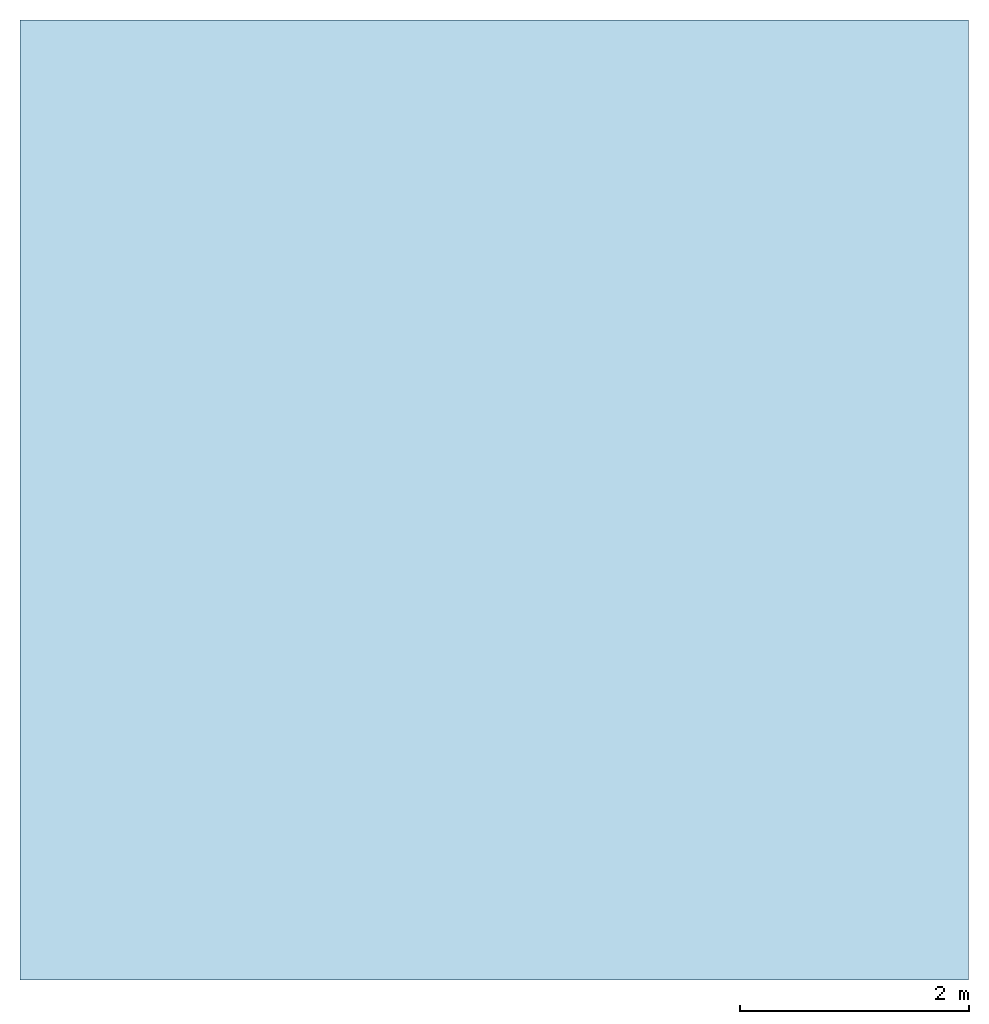
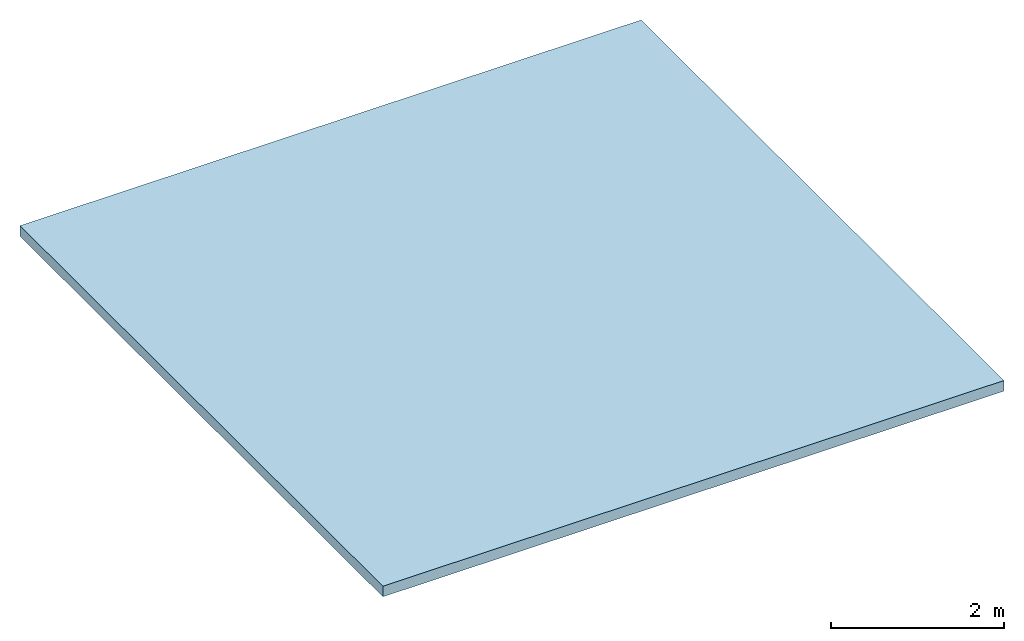
# One storey: 1 slab.
"""IFC4 building model written with IfcOpenShell, lengths in metres."""

from ifc_helpers import new_model, si_unit, direction, frame, origin, place, context, subcontext, project, spatial, polyline, outline, extrude, material, layer, layer_set, type_object, element, save


model = new_model("IFC4")

# Units and contexts
model_context = context("Model", 3, precision=1e-05, world=origin(), true_north=direction((0.0, 1.0)))
body_context = subcontext(model_context, "Body", "Model", "MODEL_VIEW")
ifc_project = project(units=[si_unit("LENGTHUNIT", "METRE"), si_unit("AREAUNIT", "SQUARE_METRE"), si_unit("VOLUMEUNIT", "CUBIC_METRE"), si_unit("PLANEANGLEUNIT", "RADIAN"), si_unit("MASSUNIT", "GRAM", prefix="KILO")], contexts=[model_context])

# Site, building, storey
site_placement = place(None, origin())
site = spatial("IfcSite", under=ifc_project, at=site_placement, CompositionType="ELEMENT")
building_placement = place(site_placement, origin())
building = spatial("IfcBuilding", under=site, at=building_placement, Name="Sorahane Residences", CompositionType="ELEMENT")
storey_placement = place(building_placement, frame((0.0, 0.0, 360.75)))
storey = spatial("IfcBuildingStorey", under=building, at=storey_placement, Name="ROOF", CompositionType="ELEMENT", Elevation=360.75)

# Slab
ifc_material = material(Name="Concrete C40", Category="concrete")
ifc_layer = layer(ifc_material, 0.14990234375)
ifc_layer_set = layer_set([ifc_layer], Name="Stair head-house roof slab Concrete C40 150")
slab_type = type_object("IfcSlabType", Name="Stair head-house roof slab Concrete C40 150", PredefinedType="ROOF", material=ifc_layer_set)
slab_placement = place(storey_placement, frame((0.0, 0.0, -0.14990234375)))
element("IfcSlab", 1, at=slab_placement, inside=storey, type_object=slab_type, Name="S3 stair head-house roof", PredefinedType="ROOF", context=body_context, shape_type="SweptSolid", body=[
    extrude(outline(polyline([(18.39990234375, 36.800048828125), (26.699951171875, 36.800048828125), (26.699951171875, 45.199951171875), (18.39990234375, 45.199951171875), (18.39990234375, 36.800048828125)])), origin(), (0.0, 0.0, 1.0), 0.14990234375),
])

save(model, "model.ifc")
